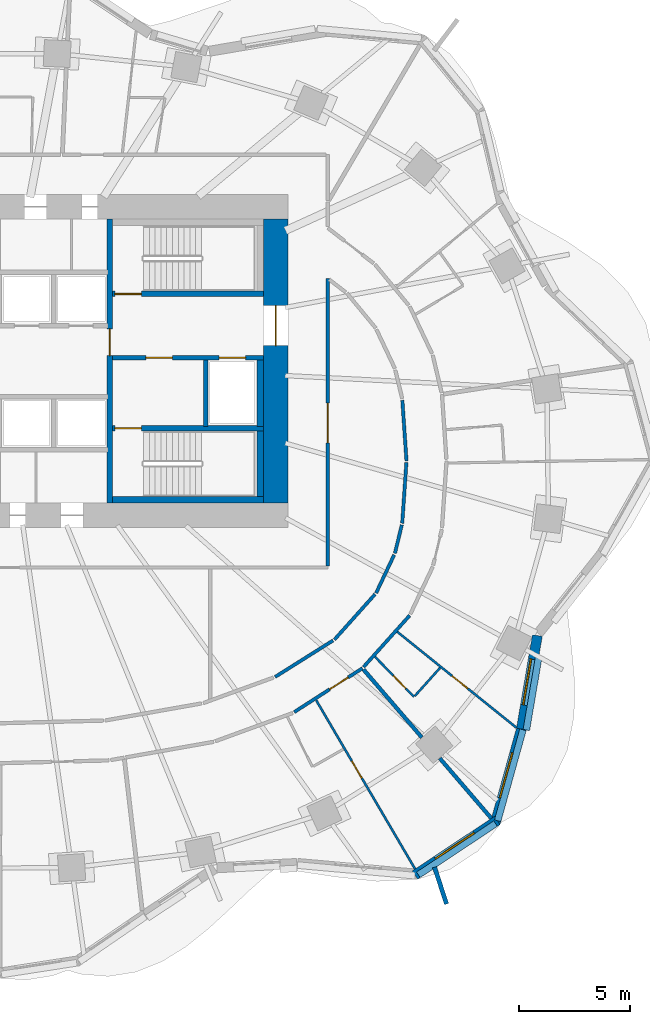
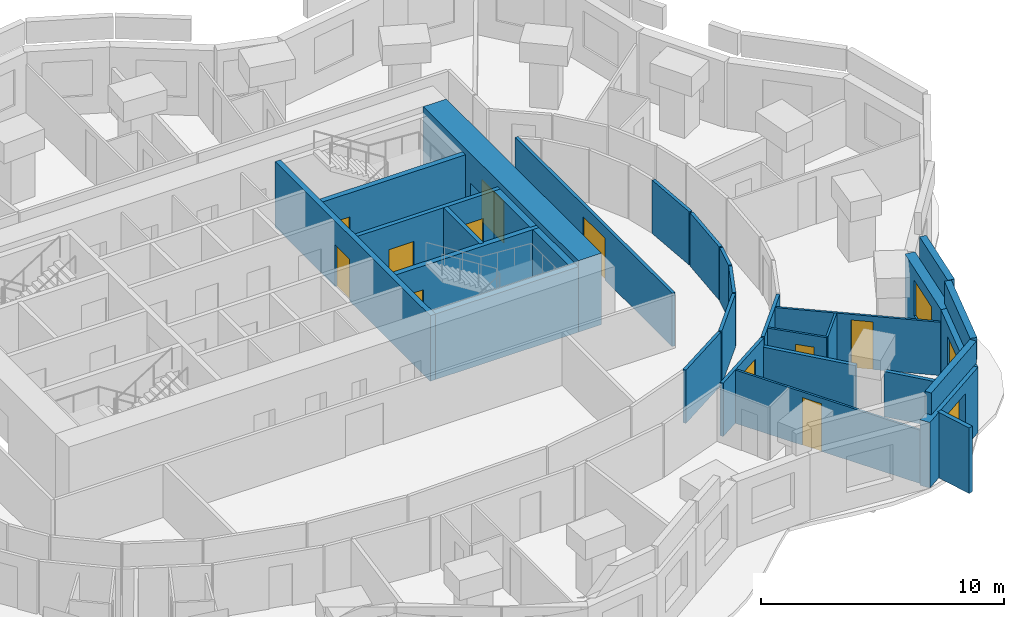
# One storey, part 7 of 12: 31 walls, 11 doors, 3 windows, 14 openings.
"""IFC4 building model written with IfcOpenShell, lengths in metres."""

from ifc_helpers import new_model, si_unit, direction, frame, frame_2d, origin, place, context, subcontext, project, spatial, rectangle, extrude, material, layer, layer_set, type_object, element, fill, save


model = new_model("IFC4")

# Units and contexts
model_context = context("Model", 3, precision=1e-05, world=origin(), true_north=direction((0.0, 1.0)))
body_context = subcontext(model_context, "Body", "Model", "MODEL_VIEW")
ifc_project = project(units=[si_unit("LENGTHUNIT", "METRE"), si_unit("AREAUNIT", "SQUARE_METRE"), si_unit("VOLUMEUNIT", "CUBIC_METRE"), si_unit("PLANEANGLEUNIT", "RADIAN"), si_unit("MASSUNIT", "GRAM", prefix="KILO")], contexts=[model_context])

# Site, building, storey
site_placement = place(None, origin())
site = spatial("IfcSite", under=ifc_project, at=site_placement, CompositionType="ELEMENT")
building_placement = place(site_placement, origin())
building = spatial("IfcBuilding", under=site, at=building_placement, Name="Rubra Terraces Tower", CompositionType="ELEMENT")
storey_placement = place(building_placement, frame((0.0, 0.0, 117.60009765625)))
storey = spatial("IfcBuildingStorey", under=building, at=storey_placement, Name="L28", CompositionType="ELEMENT", Elevation=117.60009765625)

# Walls
ifc_material_1 = material(Name="Twin plasterboard on staggered steel stud, acoustic mineral wool", Category="steel")
ifc_layer_1 = layer(ifc_material_1, 0.175048828125)
ifc_layer_set_1 = layer_set([ifc_layer_1], Name="Twin plasterboard on staggered steel stud, acoustic mineral wool")
wall_type_1 = type_object("IfcWallType", Name="ACOUSTIC PARTY WALL 175 LOW HEAD", PredefinedType="PARTITIONING", material=ifc_layer_set_1)
wall_1_placement = place(storey_placement, frame((22.167236328125, -16.10400390625, 0.0), z_axis=(0.0, 0.0, 1.0), x_axis=(-0.651585854712, 0.758574896724, 0.0)))
element("IfcWall", 1, at=wall_1_placement, inside=storey, type_object=wall_type_1, Name="PARTITION", PredefinedType="PARTITIONING", context=body_context, shape_type="SweptSolid", body=[
    extrude(rectangle(XDim=3.566650390625, YDim=0.175048828125, at=frame_2d((1.783203125, 0.0))), origin(), (0.0, 0.0, 1.0), 2.27978515625),
])
wall_2_placement = place(storey_placement, frame((19.03515625, -12.457763671875, 0.0), z_axis=(0.0, 0.0, 1.0), x_axis=(-0.651603524635, 0.7585597186, 0.0)))
element("IfcWall", 2, at=wall_2_placement, inside=storey, type_object=wall_type_1, Name="PARTITION", PredefinedType="PARTITIONING", context=body_context, shape_type="SweptSolid", body=[
    extrude(rectangle(XDim=4.033447265625, YDim=0.175048828125, at=frame_2d((2.0166015625, 0.0))), origin(), (0.0, 0.0, 1.0), 2.27978515625),
])

# Wall, opening, window
ifc_material_2 = material(Name="Brick masonry red-brown", Category="masonry")
ifc_layer_2 = layer(ifc_material_2, 0.449951171875)
ifc_layer_set_2 = layer_set([ifc_layer_2], Name="Brick masonry red-brown")
wall_type_2 = type_object("IfcWallType", Name="Brick facade wall 450", PredefinedType="SOLIDWALL", material=ifc_layer_set_2)
wall_3_placement = place(storey_placement, frame((18.7255859375, -18.66259765625, 0.0), z_axis=(0.0, 0.0, 1.0), x_axis=(0.83333921474, 0.552761931736, 0.0)))
wall_3 = element("IfcWall", 3, at=wall_3_placement, inside=storey, type_object=wall_type_2, Name="Facade wall L28 bay 36", PredefinedType="SOLIDWALL", context=body_context, shape_type="SweptSolid", body=[
    extrude(rectangle(XDim=4.45068359375, YDim=0.449951171875, at=frame_2d((2.225341796875, 0.0))), origin(), (0.0, 0.0, 1.0), 3.2998046875),
])
opening_1_placement = place(wall_3_placement, frame((1.17529296875, 0.0, 0.89990234375)))
opening_1 = element("IfcOpeningElement", 4, at=opening_1_placement, cuts=wall_3, Name="Opening W1Z", PredefinedType="OPENING", context=body_context, shape_type="SweptSolid", body=[
    extrude(rectangle(XDim=2.10009765625, YDim=1.800048828125, at=frame_2d((1.050048828125, 0.89990234375))), frame((0.0, 0.23486328125, 0.0), z_axis=(0.0, -1.0, 0.0), x_axis=(1.0, 0.0, 0.0)), (0.0, 0.0, 1.0), 0.469970703125),
])
ifc_material_3 = material(Name="Clear glass in aluminium frame", Category="aluminium")
window_type = type_object("IfcWindowType", Name="Fixed deep-set window under transfer level 2100 x 1800", PartitioningType="SINGLE_PANEL", PredefinedType="WINDOW", material=ifc_material_3)
window_1_placement = place(opening_1_placement, origin())
window_1 = element("IfcWindow", 5, at=window_1_placement, inside=storey, type_object=window_type, Name="Window L28 bay 36", OverallHeight=1.800048828125, OverallWidth=2.10009765625, PartitioningType="SINGLE_PANEL", PredefinedType="WINDOW", context=body_context, shape_type="SweptSolid", body=[
    extrude(rectangle(XDim=2.10009765625, YDim=1.800048828125, at=frame_2d((1.050048828125, 0.89990234375))), frame((0.0, 0.135009765625, 0.0), z_axis=(0.0, -1.0, 0.0), x_axis=(1.0, 0.0, 0.0)), (0.0, 0.0, 1.0), 0.06005859375),
])
fill(opening_1, window_1)

wall_4_placement = place(storey_placement, frame((22.343505859375, -16.32568359375, 0.0), z_axis=(0.0, 0.0, 1.0), x_axis=(0.267925456304, 0.963439645159, 0.0)))
wall_4 = element("IfcWall", 6, at=wall_4_placement, inside=storey, type_object=wall_type_2, Name="Facade wall L28 bay 37", PredefinedType="SOLIDWALL", context=body_context, shape_type="SweptSolid", body=[
    extrude(rectangle(XDim=4.4267578125, YDim=0.449951171875, at=frame_2d((2.21337890625, 0.0))), origin(), (0.0, 0.0, 1.0), 3.2998046875),
])
opening_2_placement = place(wall_4_placement, frame((1.16357421875, 0.0, 0.89990234375)))
opening_2 = element("IfcOpeningElement", 7, at=opening_2_placement, cuts=wall_4, Name="Opening W1Z", PredefinedType="OPENING", context=body_context, shape_type="SweptSolid", body=[
    extrude(rectangle(XDim=2.10009765625, YDim=1.800048828125, at=frame_2d((1.050048828125, 0.89990234375))), frame((0.0, 0.23486328125, 0.0), z_axis=(0.0, -1.0, 0.0), x_axis=(1.0, 0.0, 0.0)), (0.0, 0.0, 1.0), 0.469970703125),
])
window_2_placement = place(opening_2_placement, origin())
window_2 = element("IfcWindow", 8, at=window_2_placement, inside=storey, type_object=window_type, Name="Window L28 bay 37", OverallHeight=1.800048828125, OverallWidth=2.10009765625, PartitioningType="SINGLE_PANEL", PredefinedType="WINDOW", context=body_context, shape_type="SweptSolid", body=[
    extrude(rectangle(XDim=2.10009765625, YDim=1.800048828125, at=frame_2d((1.050048828125, 0.89990234375))), frame((0.0, 0.135009765625, 0.0), z_axis=(0.0, -1.0, 0.0), x_axis=(1.0, 0.0, 0.0)), (0.0, 0.0, 1.0), 0.06005859375),
])
fill(opening_2, window_2)

wall_5_placement = place(storey_placement, frame((23.524169921875, -12.0830078125, 0.0), z_axis=(0.0, 0.0, 1.0), x_axis=(0.167445072349, 0.985881406532, 0.0)))
wall_5 = element("IfcWall", 9, at=wall_5_placement, inside=storey, type_object=wall_type_2, Name="Facade wall L28 bay 38", PredefinedType="SOLIDWALL", context=body_context, shape_type="SweptSolid", body=[
    extrude(rectangle(XDim=4.27490234375, YDim=0.449951171875, at=frame_2d((2.137451171875, 0.0))), origin(), (0.0, 0.0, 1.0), 3.2998046875),
])
opening_3_placement = place(wall_5_placement, frame((1.08740234375, 0.0, 0.89990234375)))
opening_3 = element("IfcOpeningElement", 10, at=opening_3_placement, cuts=wall_5, Name="Opening W1Z", PredefinedType="OPENING", context=body_context, shape_type="SweptSolid", body=[
    extrude(rectangle(XDim=2.10009765625, YDim=1.800048828125, at=frame_2d((1.050048828125, 0.89990234375))), frame((0.0, 0.23486328125, 0.0), z_axis=(0.0, -1.0, 0.0), x_axis=(1.0, 0.0, 0.0)), (0.0, 0.0, 1.0), 0.469970703125),
])
window_3_placement = place(opening_3_placement, origin())
window_3 = element("IfcWindow", 11, at=window_3_placement, inside=storey, type_object=window_type, Name="Window L28 bay 38", OverallHeight=1.800048828125, OverallWidth=2.10009765625, PartitioningType="SINGLE_PANEL", PredefinedType="WINDOW", context=body_context, shape_type="SweptSolid", body=[
    extrude(rectangle(XDim=2.10009765625, YDim=1.800048828125, at=frame_2d((1.050048828125, 0.89990234375))), frame((0.0, 0.135009765625, 0.0), z_axis=(0.0, -1.0, 0.0), x_axis=(1.0, 0.0, 0.0)), (0.0, 0.0, 1.0), 0.06005859375),
])
fill(opening_3, window_3)

# Walls
ifc_layer_3 = layer(ifc_material_2, 0.300048828125)
ifc_layer_set_3 = layer_set([ifc_layer_3], Name="Brick masonry red-brown")
wall_type_3 = type_object("IfcWallType", Name="Brick parapet 300", PredefinedType="PARAPET", material=ifc_layer_set_3)
wall_6_placement = place(storey_placement, frame((18.8798828125, -18.650146484375, 3.599853515625), z_axis=(0.0, 0.0, 1.0), x_axis=(0.833379877726, 0.552700623667, 0.0)))
element("IfcWall", 12, at=wall_6_placement, inside=storey, type_object=wall_type_3, Name="Parapet L28 bay 36", PredefinedType="PARAPET", context=body_context, shape_type="SweptSolid", body=[
    extrude(rectangle(XDim=4.17333984375, YDim=0.300048828125, at=frame_2d((2.086669921875, 0.0))), origin(), (0.0, 0.0, 1.0), 1.10009765625),
])
wall_7_placement = place(storey_placement, frame((22.452392578125, -16.213134765625, 3.599853515625), z_axis=(0.0, 0.0, 1.0), x_axis=(0.267993020858, 0.963420853403, 0.0)))
element("IfcWall", 13, at=wall_7_placement, inside=storey, type_object=wall_type_3, Name="Parapet L28 bay 37", PredefinedType="PARAPET", context=body_context, shape_type="SweptSolid", body=[
    extrude(rectangle(XDim=4.25537109375, YDim=0.300048828125, at=frame_2d((2.127685546875, 0.0))), origin(), (0.0, 0.0, 1.0), 1.10009765625),
])
wall_8_placement = place(storey_placement, frame((23.7451171875, -12.125, 3.599853515625), z_axis=(0.0, 0.0, 1.0), x_axis=(0.167466753484, 0.985877723898, 0.0)))
element("IfcWall", 14, at=wall_8_placement, inside=storey, type_object=wall_type_3, Name="Parapet L28 bay 38", PredefinedType="PARAPET", context=body_context, shape_type="SweptSolid", body=[
    extrude(rectangle(XDim=3.3544921875, YDim=0.300048828125, at=frame_2d((1.67724609375, 0.0))), origin(), (0.0, 0.0, 1.0), 1.10009765625),
])
ifc_layer_4 = layer(ifc_material_2, 0.199951171875)
ifc_layer_set_4 = layer_set([ifc_layer_4], Name="Brick masonry red-brown")
wall_type_4 = type_object("IfcWallType", Name="Brick wind fin 200", PredefinedType="SOLIDWALL", material=ifc_layer_set_4)
wall_9_placement = place(storey_placement, frame((19.60888671875, -18.304931640625, 0.0), z_axis=(0.0, 0.0, 1.0), x_axis=(0.308600224758, -0.951191832008, 0.0)))
element("IfcWall", 15, at=wall_9_placement, inside=storey, type_object=wall_type_4, Name="Wind fin L28 22", PredefinedType="SOLIDWALL", context=body_context, shape_type="SweptSolid", body=[
    extrude(rectangle(XDim=1.75, YDim=0.199951171875, at=frame_2d((0.875, 0.0))), origin(), (0.0, 0.0, 1.0), 3.2998046875),
])

# Wall, opening, door
ifc_material_4 = material(Name="Concrete C60", Category="concrete")
ifc_layer_5 = layer(ifc_material_4, 1.10009765625)
ifc_layer_set_5 = layer_set([ifc_layer_5], Name="Concrete C60")
wall_type_5 = type_object("IfcWallType", Name="CORE WALL 1100 C60", PredefinedType="SHEAR", material=ifc_layer_set_5)
wall_10_placement = place(storey_placement, frame((12.449951171875, -1.89990234375, 0.0), z_axis=(0.0, 0.0, 1.0), x_axis=(0.0, 1.0, 0.0)))
wall_10 = element("IfcWall", 16, at=wall_10_placement, inside=storey, type_object=wall_type_5, Name="CORE WALL E L28", PredefinedType="SHEAR", context=body_context, shape_type="SweptSolid", body=[
    extrude(rectangle(XDim=12.7998046875, YDim=1.10009765625, at=frame_2d((6.39990234375, 0.0))), origin(), (0.0, 0.0, 1.0), 3.599853515625),
])
opening_4_placement = place(wall_10_placement, frame((7.10009765625, 0.0, 0.0)))
opening_4 = element("IfcOpeningElement", 17, at=opening_4_placement, cuts=wall_10, Name="Opening L28.C02", PredefinedType="OPENING", context=body_context, shape_type="SweptSolid", body=[
    extrude(rectangle(XDim=1.800048828125, YDim=2.10009765625, at=frame_2d((0.89990234375, 1.050048828125))), frame((0.0, 0.56005859375, 0.0), z_axis=(0.0, -1.0, 0.0), x_axis=(1.0, 0.0, 0.0)), (0.0, 0.0, 1.0), 1.1201171875),
])
ifc_material_5 = material(Name="Painted steel", Category="steel")
door_type_1 = type_object("IfcDoorType", Name="Fire door 1800x2100 double", OperationType="NOTDEFINED", PredefinedType="DOOR", material=ifc_material_5)
door_1_placement = place(opening_4_placement, origin())
door_1 = element("IfcDoor", 18, at=door_1_placement, inside=storey, type_object=door_type_1, Name="Core entrance door FF2", OperationType="DOUBLE_DOOR_SINGLE_SWING", OverallHeight=2.10009765625, OverallWidth=1.800048828125, PredefinedType="DOOR", context=body_context, shape_type="SweptSolid", body=[
    extrude(rectangle(XDim=1.800048828125, YDim=2.10009765625, at=frame_2d((0.89990234375, 1.050048828125))), frame((0.0, 0.02490234375, 0.0), z_axis=(0.0, -1.0, 0.0), x_axis=(1.0, 0.0, 0.0)), (0.0, 0.0, 1.0), 0.050048828125),
])
fill(opening_4, door_1)

ifc_material_6 = material(Name="Plasterboard on steel stud, mineral wool infill", Category="steel")
ifc_layer_6 = layer(ifc_material_6, 0.14990234375)
ifc_layer_set_6 = layer_set([ifc_layer_6], Name="Plasterboard on steel stud, mineral wool infill")
wall_type_6 = type_object("IfcWallType", Name="CORRIDOR PARTITION 150", PredefinedType="PARTITIONING", material=ifc_layer_set_6)
wall_11_placement = place(storey_placement, frame((13.28271484375, -11.318603515625, 0.0), z_axis=(0.0, 0.0, 1.0), x_axis=(0.841150270113, 0.540801463653, 0.0)))
wall_11 = element("IfcWall", 19, at=wall_11_placement, inside=storey, type_object=wall_type_6, Name="PARTITION", PredefinedType="PARTITIONING", context=body_context, shape_type="SweptSolid", body=[
    extrude(rectangle(XDim=3.65625, YDim=0.14990234375, at=frame_2d((1.828125, 0.0))), origin(), (0.0, 0.0, 1.0), 2.683837890625),
])
opening_5_placement = place(wall_11_placement, frame((1.89404296875, 0.0, 0.0)))
opening_5 = element("IfcOpeningElement", 20, at=opening_5_placement, cuts=wall_11, Name="Opening 28-106", PredefinedType="OPENING", context=body_context, shape_type="SweptSolid", body=[
    extrude(rectangle(XDim=1.0, YDim=2.10009765625, at=frame_2d((0.5, 1.050048828125))), frame((0.0, 0.0849609375, 0.0), z_axis=(0.0, -1.0, 0.0), x_axis=(1.0, 0.0, 0.0)), (0.0, 0.0, 1.0), 0.169921875),
])
ifc_material_7 = material(Name="Painted timber door leaf", Category="wood")
door_type_2 = type_object("IfcDoorType", Name="ROOM DOOR 1000 X 2100", OperationType="SINGLE_SWING_LEFT", PredefinedType="DOOR", material=ifc_material_7)
door_2_placement = place(opening_5_placement, origin())
door_2 = element("IfcDoor", 21, at=door_2_placement, inside=storey, type_object=door_type_2, Name="DOOR 28-106", OperationType="SINGLE_SWING_RIGHT", OverallHeight=2.10009765625, OverallWidth=1.0, PredefinedType="DOOR", context=body_context, shape_type="SweptSolid", body=[
    extrude(rectangle(XDim=1.0, YDim=2.10009765625, at=frame_2d((0.5, 1.050048828125))), frame((0.0, 0.02490234375, 0.0), z_axis=(0.0, -1.0, 0.0), x_axis=(1.0, 0.0, 0.0)), (0.0, 0.0, 1.0), 0.050048828125),
])
fill(opening_5, door_2)

# Walls
wall_12_placement = place(storey_placement, frame((16.408203125, -9.285400390625, 0.0), z_axis=(0.0, 0.0, 1.0), x_axis=(0.666792573149, 0.745243359174, 0.0)))
element("IfcWall", 22, at=wall_12_placement, inside=storey, type_object=wall_type_6, Name="PARTITION", PredefinedType="PARTITIONING", context=body_context, shape_type="SweptSolid", body=[
    extrude(rectangle(XDim=3.121337890625, YDim=0.14990234375, at=frame_2d((1.560546875, 0.0))), origin(), (0.0, 0.0, 1.0), 2.683837890625),
])
for number, where, z_axis, x_axis, name in (
    (23, (18.157470703125, 2.734130859375, 0.0), (0.0, 0.0, 1.0), (0.068328193832, -0.997662897941, 0.0), "PARTITION"),
    (24, (18.339599609375, -0.07470703125, 0.0), (0.0, 0.0, 1.0), (-0.068328193832, -0.997662897941, 0.0), "PARTITION"),
):
    element("IfcWall", number, at=place(storey_placement, frame(where, z_axis=z_axis, x_axis=x_axis)), inside=storey, type_object=wall_type_6, Name=name, PredefinedType="PARTITIONING", context=body_context, shape_type="SweptSolid", body=[
        extrude(rectangle(XDim=2.740478515625, YDim=0.14990234375, at=frame_2d((1.3701171875, 0.0))), origin(), (0.0, 0.0, 1.0), 2.683837890625),
    ])
wall_13_placement = place(storey_placement, frame((18.134521484375, -2.8818359375, 0.0), z_axis=(0.0, 0.0, 1.0), x_axis=(-0.236653741324, -0.971594054489, 0.0)))
element("IfcWall", 25, at=wall_13_placement, inside=storey, type_object=wall_type_6, Name="PARTITION", PredefinedType="PARTITIONING", context=body_context, shape_type="SweptSolid", body=[
    extrude(rectangle(XDim=1.319580078125, YDim=0.14990234375, at=frame_2d((0.65966796875, 0.0))), origin(), (0.0, 0.0, 1.0), 2.683837890625),
])
wall_14_placement = place(storey_placement, frame((17.7900390625, -4.2314453125, 0.0), z_axis=(0.0, 0.0, 1.0), x_axis=(-0.428042272357, -0.90375871397, 0.0)))
element("IfcWall", 26, at=wall_14_placement, inside=storey, type_object=wall_type_6, Name="PARTITION", PredefinedType="PARTITIONING", context=body_context, shape_type="SweptSolid", body=[
    extrude(rectangle(XDim=1.905029296875, YDim=0.14990234375, at=frame_2d((0.95263671875, 0.0))), origin(), (0.0, 0.0, 1.0), 2.683837890625),
])
wall_15_placement = place(storey_placement, frame((16.924560546875, -6.009033203125, 0.0), z_axis=(0.0, 0.0, 1.0), x_axis=(-0.666893859891, -0.745152722359, 0.0)))
element("IfcWall", 27, at=wall_15_placement, inside=storey, type_object=wall_type_6, Name="PARTITION", PredefinedType="PARTITIONING", context=body_context, shape_type="SweptSolid", body=[
    extrude(rectangle(XDim=2.739013671875, YDim=0.14990234375, at=frame_2d((1.36962890625, 0.0))), origin(), (0.0, 0.0, 1.0), 2.683837890625),
])
wall_16_placement = place(storey_placement, frame((15.034423828125, -8.090087890625, 0.0), z_axis=(0.0, 0.0, 1.0), x_axis=(-0.846322679414, -0.532670557014, 0.0)))
element("IfcWall", 28, at=wall_16_placement, inside=storey, type_object=wall_type_6, Name="PARTITION", PredefinedType="PARTITIONING", context=body_context, shape_type="SweptSolid", body=[
    extrude(rectangle(XDim=3.08544921875, YDim=0.14990234375, at=frame_2d((1.542724609375, 0.0))), origin(), (0.0, 0.0, 1.0), 2.683837890625),
])

# Wall, opening, door
wall_17_placement = place(storey_placement, frame((14.800048828125, -4.72509765625, 0.0), z_axis=(0.0, 0.0, 1.0), x_axis=(0.0, 1.0, 0.0)))
wall_17 = element("IfcWall", 29, at=wall_17_placement, inside=storey, type_object=wall_type_6, Name="PARTITION", PredefinedType="PARTITIONING", context=body_context, shape_type="SweptSolid", body=[
    extrude(rectangle(XDim=12.947998046875, YDim=0.14990234375, at=frame_2d((6.47412109375, 0.0))), origin(), (0.0, 0.0, 1.0), 2.683837890625),
])
opening_6_placement = place(wall_17_placement, frame((5.535888671875, 0.0, 0.0)))
opening_6 = element("IfcOpeningElement", 30, at=opening_6_placement, cuts=wall_17, Name="Opening 28-136", PredefinedType="OPENING", context=body_context, shape_type="SweptSolid", body=[
    extrude(rectangle(XDim=1.800048828125, YDim=2.10009765625, at=frame_2d((0.89990234375, 1.050048828125))), frame((0.0, 0.0849609375, 0.0), z_axis=(0.0, -1.0, 0.0), x_axis=(1.0, 0.0, 0.0)), (0.0, 0.0, 1.0), 0.169921875),
])
ifc_material_8 = material(Name="Painted timber door leaf, double", Category="wood")
door_type_3 = type_object("IfcDoorType", Name="ROOM DOUBLE DOOR 1800 X 2100", OperationType="DOUBLE_DOOR_SINGLE_SWING", PredefinedType="DOOR", material=ifc_material_8)
door_3_placement = place(opening_6_placement, origin())
door_3 = element("IfcDoor", 31, at=door_3_placement, inside=storey, type_object=door_type_3, Name="DOOR 28-136", OperationType="DOUBLE_DOOR_SINGLE_SWING", OverallHeight=2.10009765625, OverallWidth=1.800048828125, PredefinedType="DOOR", context=body_context, shape_type="SweptSolid", body=[
    extrude(rectangle(XDim=1.800048828125, YDim=2.10009765625, at=frame_2d((0.89990234375, 1.050048828125))), frame((0.0, 0.02490234375, 0.0), z_axis=(0.0, -1.0, 0.0), x_axis=(1.0, 0.0, 0.0)), (0.0, 0.0, 1.0), 0.050048828125),
])
fill(opening_6, door_3)

# Walls
ifc_material_9 = material(Name="Concrete C40", Category="concrete")
ifc_layer_7 = layer(ifc_material_9, 0.300048828125)
ifc_layer_set_7 = layer_set([ifc_layer_7], Name="Concrete C40")
wall_type_7 = type_object("IfcWallType", Name="Core lining wall 300 concrete", PredefinedType="SOLIDWALL", material=ifc_layer_set_7)
wall_18_placement = place(storey_placement, frame((11.75, 4.550048828125, 0.0), z_axis=(0.0, 0.0, 1.0), x_axis=(0.0, -1.0, 0.0)))
element("IfcWall", 32, at=wall_18_placement, inside=storey, type_object=wall_type_7, Name="CORE LINING WALL L28", PredefinedType="SOLIDWALL", context=body_context, shape_type="SweptSolid", body=[
    extrude(rectangle(XDim=3.0, YDim=0.300048828125, at=frame_2d((1.5, 0.0))), origin(), (0.0, 0.0, 1.0), 3.2998046875),
])
wall_19_placement = place(storey_placement, frame((11.75, 1.35009765625, 0.0), z_axis=(0.0, 0.0, 1.0), x_axis=(0.0, -1.0, 0.0)))
element("IfcWall", 33, at=wall_19_placement, inside=storey, type_object=wall_type_7, Name="CORE LINING WALL L28", PredefinedType="SOLIDWALL", context=body_context, shape_type="SweptSolid", body=[
    extrude(rectangle(XDim=2.9501953125, YDim=0.300048828125, at=frame_2d((1.47509765625, 0.0))), origin(), (0.0, 0.0, 1.0), 3.2998046875),
])
wall_20_placement = place(storey_placement, frame((11.89990234375, -1.75, 0.0), z_axis=(0.0, 0.0, 1.0), x_axis=(-1.0, 0.0, 0.0)))
element("IfcWall", 34, at=wall_20_placement, inside=storey, type_object=wall_type_7, Name="CORE LINING WALL L28", PredefinedType="SOLIDWALL", context=body_context, shape_type="SweptSolid", body=[
    extrude(rectangle(XDim=6.7998046875, YDim=0.300048828125, at=frame_2d((3.39990234375, 0.0))), origin(), (0.0, 0.0, 1.0), 3.2998046875),
])

# Wall, openings, doors
ifc_material_10 = material(Name="Concrete C30", Category="concrete")
ifc_layer_8 = layer(ifc_material_10, 0.199951171875)
ifc_layer_set_8 = layer_set([ifc_layer_8], Name="Concrete C30")
wall_type_8 = type_object("IfcWallType", Name="Core wall 200 concrete", PredefinedType="SOLIDWALL", material=ifc_layer_set_8)
wall_21_placement = place(storey_placement, frame((11.89990234375, 4.64990234375, 0.0), z_axis=(0.0, 0.0, 1.0), x_axis=(-1.0, 0.0, 0.0)))
wall_21 = element("IfcWall", 35, at=wall_21_placement, inside=storey, type_object=wall_type_8, Name="STAIR WALL L28", PredefinedType="SOLIDWALL", context=body_context, shape_type="SweptSolid", body=[
    extrude(rectangle(XDim=6.7998046875, YDim=0.199951171875, at=frame_2d((3.39990234375, 0.0))), origin(), (0.0, 0.0, 1.0), 3.2998046875),
])
opening_7_placement = place(wall_21_placement, frame((4.10009765625, 0.0, 0.0)))
opening_7 = element("IfcOpeningElement", 36, at=opening_7_placement, cuts=wall_21, Name="Opening L28.C06", PredefinedType="OPENING", context=body_context, shape_type="SweptSolid", body=[
    extrude(rectangle(XDim=1.199951171875, YDim=2.10009765625, at=frame_2d((0.60009765625, 1.050048828125))), frame((0.0, 0.10986328125, 0.0), z_axis=(0.0, -1.0, 0.0), x_axis=(1.0, 0.0, 0.0)), (0.0, 0.0, 1.0), 0.219970703125),
])
opening_8_placement = place(wall_21_placement, frame((0.800048828125, 0.0, 0.0)))
opening_8 = element("IfcOpeningElement", 37, at=opening_8_placement, cuts=wall_21, Name="Opening L28.C12", PredefinedType="OPENING", context=body_context, shape_type="SweptSolid", body=[
    extrude(rectangle(XDim=1.199951171875, YDim=2.10009765625, at=frame_2d((0.60009765625, 1.050048828125))), frame((0.0, 0.10986328125, 0.0), z_axis=(0.0, -1.0, 0.0), x_axis=(1.0, 0.0, 0.0)), (0.0, 0.0, 1.0), 0.219970703125),
])
door_type_4 = type_object("IfcDoorType", Name="Fire door 1200x2100 single", OperationType="NOTDEFINED", PredefinedType="DOOR", material=ifc_material_5)
door_4_placement = place(opening_7_placement, origin())
door_4 = element("IfcDoor", 38, at=door_4_placement, inside=storey, type_object=door_type_4, Name="Stair vestibule door S4", OperationType="SINGLE_SWING_RIGHT", OverallHeight=2.10009765625, OverallWidth=1.199951171875, PredefinedType="DOOR", context=body_context, shape_type="SweptSolid", body=[
    extrude(rectangle(XDim=1.199951171875, YDim=2.10009765625, at=frame_2d((0.60009765625, 1.050048828125))), frame((0.0, 0.02490234375, 0.0), z_axis=(0.0, -1.0, 0.0), x_axis=(1.0, 0.0, 0.0)), (0.0, 0.0, 1.0), 0.050048828125),
])
fill(opening_7, door_4)
ifc_material_11 = material(Name="Stainless steel", Category="steel")
door_type_5 = type_object("IfcDoorType", Name="Lift landing door 1200x2100", OperationType="NOTDEFINED", PredefinedType="DOOR", material=ifc_material_11)
door_5_placement = place(opening_8_placement, origin())
door_5 = element("IfcDoor", 39, at=door_5_placement, inside=storey, type_object=door_type_5, Name="Landing door FF2", OperationType="SLIDING_TO_RIGHT", OverallHeight=2.10009765625, OverallWidth=1.199951171875, PredefinedType="DOOR", context=body_context, shape_type="SweptSolid", body=[
    extrude(rectangle(XDim=1.199951171875, YDim=2.10009765625, at=frame_2d((0.60009765625, 1.050048828125))), frame((0.0, 0.02490234375, 0.0), z_axis=(0.0, -1.0, 0.0), x_axis=(1.0, 0.0, 0.0)), (0.0, 0.0, 1.0), 0.050048828125),
])
fill(opening_8, door_5)

# Wall
wall_22_placement = place(storey_placement, frame((9.300048828125, 4.550048828125, 0.0), z_axis=(0.0, 0.0, 1.0), x_axis=(0.0, -1.0, 0.0)))
element("IfcWall", 40, at=wall_22_placement, inside=storey, type_object=wall_type_8, Name="STAIR WALL L28", PredefinedType="SOLIDWALL", context=body_context, shape_type="SweptSolid", body=[
    extrude(rectangle(XDim=3.0, YDim=0.199951171875, at=frame_2d((1.5, 0.0))), origin(), (0.0, 0.0, 1.0), 3.2998046875),
])

# Wall, opening, door
ifc_material_12 = material(Name="Plasterboard on steel stud", Category="steel")
ifc_layer_9 = layer(ifc_material_12, 0.10009765625)
ifc_layer_set_9 = layer_set([ifc_layer_9], Name="Plasterboard on steel stud")
wall_type_9 = type_object("IfcWallType", Name="ROOM PARTITION 100", PredefinedType="PARTITIONING", material=ifc_layer_set_9)
wall_23_placement = place(storey_placement, frame((18.730224609375, -18.383544921875, 0.0), z_axis=(0.0, 0.0, 1.0), x_axis=(-0.50573941389, 0.862686295961, 0.0)))
wall_23 = element("IfcWall", 41, at=wall_23_placement, inside=storey, type_object=wall_type_9, Name="PARTITION", PredefinedType="PARTITIONING", context=body_context, shape_type="SweptSolid", body=[
    extrude(rectangle(XDim=8.8095703125, YDim=0.10009765625, at=frame_2d((4.40478515625, 0.0))), origin(), (0.0, 0.0, 1.0), 2.683837890625),
])
opening_9_placement = place(wall_23_placement, frame((4.735107421875, 0.0, 0.0)))
opening_9 = element("IfcOpeningElement", 42, at=opening_9_placement, cuts=wall_23, Name="Opening 28-105", PredefinedType="OPENING", context=body_context, shape_type="SweptSolid", body=[
    extrude(rectangle(XDim=0.89990234375, YDim=2.39990234375, at=frame_2d((0.449951171875, 1.199951171875))), frame((0.0, 0.06005859375, 0.0), z_axis=(0.0, -1.0, 0.0), x_axis=(1.0, 0.0, 0.0)), (0.0, 0.0, 1.0), 0.1201171875),
])
ifc_material_13 = material(Name="Veneered timber door leaf, fire-rated", Category="wood")
door_type_6 = type_object("IfcDoorType", Name="SUITE ENTRANCE DOOR 900 X 2400", OperationType="SINGLE_SWING_LEFT", PredefinedType="DOOR", material=ifc_material_13)
door_6_placement = place(opening_9_placement, origin())
door_6 = element("IfcDoor", 43, at=door_6_placement, inside=storey, type_object=door_type_6, Name="DOOR 28-105", OperationType="SINGLE_SWING_LEFT", OverallHeight=2.39990234375, OverallWidth=0.89990234375, PredefinedType="DOOR", context=body_context, shape_type="SweptSolid", body=[
    extrude(rectangle(XDim=0.89990234375, YDim=2.39990234375, at=frame_2d((0.449951171875, 1.199951171875))), frame((0.0, 0.02490234375, 0.0), z_axis=(0.0, -1.0, 0.0), x_axis=(1.0, 0.0, 0.0)), (0.0, 0.0, 1.0), 0.050048828125),
])
fill(opening_9, door_6)

wall_24_placement = place(storey_placement, frame((23.302001953125, -12.0234375, 0.0), z_axis=(0.0, 0.0, 1.0), x_axis=(-0.779049211338, 0.626962779049, 0.0)))
wall_24 = element("IfcWall", 44, at=wall_24_placement, inside=storey, type_object=wall_type_9, Name="PARTITION", PredefinedType="PARTITIONING", context=body_context, shape_type="SweptSolid", body=[
    extrude(rectangle(XDim=6.89794921875, YDim=0.10009765625, at=frame_2d((3.448974609375, 0.0))), origin(), (0.0, 0.0, 1.0), 2.683837890625),
])
opening_10_placement = place(wall_24_placement, frame((2.822998046875, 0.0, 0.0)))
opening_10 = element("IfcOpeningElement", 45, at=opening_10_placement, cuts=wall_24, Name="Opening 28-109", PredefinedType="OPENING", context=body_context, shape_type="SweptSolid", body=[
    extrude(rectangle(XDim=0.89990234375, YDim=2.39990234375, at=frame_2d((0.449951171875, 1.199951171875))), frame((0.0, 0.06005859375, 0.0), z_axis=(0.0, -1.0, 0.0), x_axis=(1.0, 0.0, 0.0)), (0.0, 0.0, 1.0), 0.1201171875),
])
door_7_placement = place(opening_10_placement, origin())
door_7 = element("IfcDoor", 46, at=door_7_placement, inside=storey, type_object=door_type_6, Name="DOOR 28-109", OperationType="SINGLE_SWING_LEFT", OverallHeight=2.39990234375, OverallWidth=0.89990234375, PredefinedType="DOOR", context=body_context, shape_type="SweptSolid", body=[
    extrude(rectangle(XDim=0.89990234375, YDim=2.39990234375, at=frame_2d((0.449951171875, 1.199951171875))), frame((0.0, 0.02490234375, 0.0), z_axis=(0.0, -1.0, 0.0), x_axis=(1.0, 0.0, 0.0)), (0.0, 0.0, 1.0), 0.050048828125),
])
fill(opening_10, door_7)

wall_25_placement = place(storey_placement, frame((16.921875, -8.823486328125, 0.0), z_axis=(0.0, 0.0, 1.0), x_axis=(0.697371069569, -0.71671025619, 0.0)))
wall_25 = element("IfcWall", 47, at=wall_25_placement, inside=storey, type_object=wall_type_9, Name="PARTITION", PredefinedType="PARTITIONING", context=body_context, shape_type="SweptSolid", body=[
    extrude(rectangle(XDim=2.52490234375, YDim=0.10009765625, at=frame_2d((1.262451171875, 0.0))), origin(), (0.0, 0.0, 1.0), 2.683837890625),
])
opening_11_placement = place(wall_25_placement, frame((1.199951171875, 0.0, 0.0)))
opening_11 = element("IfcOpeningElement", 48, at=opening_11_placement, cuts=wall_25, Name="Opening 28-107", PredefinedType="OPENING", context=body_context, shape_type="SweptSolid", body=[
    extrude(rectangle(XDim=0.800048828125, YDim=2.10009765625, at=frame_2d((0.39990234375, 1.050048828125))), frame((0.0, 0.06005859375, 0.0), z_axis=(0.0, -1.0, 0.0), x_axis=(1.0, 0.0, 0.0)), (0.0, 0.0, 1.0), 0.1201171875),
])
door_type_7 = type_object("IfcDoorType", Name="BATHROOM DOOR 800 X 2100", OperationType="SINGLE_SWING_LEFT", PredefinedType="DOOR", material=ifc_material_7)
door_8_placement = place(opening_11_placement, origin())
door_8 = element("IfcDoor", 49, at=door_8_placement, inside=storey, type_object=door_type_7, Name="DOOR 28-107", OperationType="SINGLE_SWING_LEFT", OverallHeight=2.10009765625, OverallWidth=0.800048828125, PredefinedType="DOOR", context=body_context, shape_type="SweptSolid", body=[
    extrude(rectangle(XDim=0.800048828125, YDim=2.10009765625, at=frame_2d((0.39990234375, 1.050048828125))), frame((0.0, 0.02490234375, 0.0), z_axis=(0.0, -1.0, 0.0), x_axis=(1.0, 0.0, 0.0)), (0.0, 0.0, 1.0), 0.050048828125),
])
fill(opening_11, door_8)

# Wall
wall_26_placement = place(storey_placement, frame((18.716064453125, -10.595947265625, 0.0), z_axis=(0.0, 0.0, 1.0), x_axis=(0.667863253754, 0.744284001094, 0.0)))
element("IfcWall", 50, at=wall_26_placement, inside=storey, type_object=wall_type_9, Name="PARTITION", PredefinedType="PARTITIONING", context=body_context, shape_type="SweptSolid", body=[
    extrude(rectangle(XDim=1.715576171875, YDim=0.10009765625, at=frame_2d((0.85791015625, 0.0))), origin(), (0.0, 0.0, 1.0), 2.683837890625),
])

# Wall, opening, door
ifc_layer_10 = layer(ifc_material_9, 0.25)
ifc_layer_set_10 = layer_set([ifc_layer_10], Name="Concrete C40")
wall_type_10 = type_object("IfcWallType", Name="Stair enclosure wall 250 concrete", PredefinedType="SOLIDWALL", material=ifc_layer_set_10)
wall_27_placement = place(storey_placement, frame((11.89990234375, 7.52490234375, 0.0), z_axis=(0.0, 0.0, 1.0), x_axis=(-1.0, 0.0, 0.0)))
wall_27 = element("IfcWall", 51, at=wall_27_placement, inside=storey, type_object=wall_type_10, Name="STAIR WALL L28", PredefinedType="SOLIDWALL", context=body_context, shape_type="SweptSolid", body=[
    extrude(rectangle(XDim=6.7998046875, YDim=0.25, at=frame_2d((3.39990234375, 0.0))), origin(), (0.0, 0.0, 1.0), 3.2998046875),
])
opening_12_placement = place(wall_27_placement, frame((5.5, 0.0, 0.0)))
opening_12 = element("IfcOpeningElement", 52, at=opening_12_placement, cuts=wall_27, Name="Opening L28.C08", PredefinedType="OPENING", context=body_context, shape_type="SweptSolid", body=[
    extrude(rectangle(XDim=1.199951171875, YDim=2.10009765625, at=frame_2d((0.60009765625, 1.050048828125))), frame((0.0, 0.135009765625, 0.0), z_axis=(0.0, -1.0, 0.0), x_axis=(1.0, 0.0, 0.0)), (0.0, 0.0, 1.0), 0.27001953125),
])
door_9_placement = place(opening_12_placement, origin())
door_9 = element("IfcDoor", 53, at=door_9_placement, inside=storey, type_object=door_type_4, Name="Stair door S3", OperationType="SINGLE_SWING_RIGHT", OverallHeight=2.10009765625, OverallWidth=1.199951171875, PredefinedType="DOOR", context=body_context, shape_type="SweptSolid", body=[
    extrude(rectangle(XDim=1.199951171875, YDim=2.10009765625, at=frame_2d((0.60009765625, 1.050048828125))), frame((0.0, 0.02490234375, 0.0), z_axis=(0.0, -1.0, 0.0), x_axis=(1.0, 0.0, 0.0)), (0.0, 0.0, 1.0), 0.050048828125),
])
fill(opening_12, door_9)

wall_28_placement = place(storey_placement, frame((11.89990234375, 1.47509765625, 0.0), z_axis=(0.0, 0.0, 1.0), x_axis=(-1.0, 0.0, 0.0)))
wall_28 = element("IfcWall", 54, at=wall_28_placement, inside=storey, type_object=wall_type_10, Name="STAIR WALL L28", PredefinedType="SOLIDWALL", context=body_context, shape_type="SweptSolid", body=[
    extrude(rectangle(XDim=6.7998046875, YDim=0.25, at=frame_2d((3.39990234375, 0.0))), origin(), (0.0, 0.0, 1.0), 3.2998046875),
])
opening_13_placement = place(wall_28_placement, frame((5.5, 0.0, 0.0)))
opening_13 = element("IfcOpeningElement", 55, at=opening_13_placement, cuts=wall_28, Name="Opening L28.C10", PredefinedType="OPENING", context=body_context, shape_type="SweptSolid", body=[
    extrude(rectangle(XDim=1.199951171875, YDim=2.10009765625, at=frame_2d((0.60009765625, 1.050048828125))), frame((0.0, 0.135009765625, 0.0), z_axis=(0.0, -1.0, 0.0), x_axis=(1.0, 0.0, 0.0)), (0.0, 0.0, 1.0), 0.27001953125),
])
door_10_placement = place(opening_13_placement, origin())
door_10 = element("IfcDoor", 56, at=door_10_placement, inside=storey, type_object=door_type_4, Name="Stair door S4", OperationType="SINGLE_SWING_RIGHT", OverallHeight=2.10009765625, OverallWidth=1.199951171875, PredefinedType="DOOR", context=body_context, shape_type="SweptSolid", body=[
    extrude(rectangle(XDim=1.199951171875, YDim=2.10009765625, at=frame_2d((0.60009765625, 1.050048828125))), frame((0.0, 0.02490234375, 0.0), z_axis=(0.0, -1.0, 0.0), x_axis=(1.0, 0.0, 0.0)), (0.0, 0.0, 1.0), 0.050048828125),
])
fill(opening_13, door_10)

wall_29_placement = place(storey_placement, frame((4.97509765625, 10.89990234375, 0.0), z_axis=(0.0, 0.0, 1.0), x_axis=(0.0, -1.0, 0.0)))
wall_29 = element("IfcWall", 57, at=wall_29_placement, inside=storey, type_object=wall_type_10, Name="CORE LOBBY WALL L28", PredefinedType="SOLIDWALL", context=body_context, shape_type="SweptSolid", body=[
    extrude(rectangle(XDim=12.7998046875, YDim=0.25, at=frame_2d((6.39990234375, 0.0))), origin(), (0.0, 0.0, 1.0), 3.2998046875),
])
opening_14_placement = place(wall_29_placement, frame((4.949951171875, 0.0, 0.0)))
opening_14 = element("IfcOpeningElement", 58, at=opening_14_placement, cuts=wall_29, Name="Opening L28.C04", PredefinedType="OPENING", context=body_context, shape_type="SweptSolid", body=[
    extrude(rectangle(XDim=1.199951171875, YDim=2.10009765625, at=frame_2d((0.60009765625, 1.050048828125))), frame((0.0, 0.135009765625, 0.0), z_axis=(0.0, -1.0, 0.0), x_axis=(1.0, 0.0, 0.0)), (0.0, 0.0, 1.0), 0.27001953125),
])
door_11_placement = place(opening_14_placement, origin())
door_11 = element("IfcDoor", 59, at=door_11_placement, inside=storey, type_object=door_type_4, Name="Firefighting lobby door FF2", OperationType="SINGLE_SWING_RIGHT", OverallHeight=2.10009765625, OverallWidth=1.199951171875, PredefinedType="DOOR", context=body_context, shape_type="SweptSolid", body=[
    extrude(rectangle(XDim=1.199951171875, YDim=2.10009765625, at=frame_2d((0.60009765625, 1.050048828125))), frame((0.0, 0.02490234375, 0.0), z_axis=(0.0, -1.0, 0.0), x_axis=(1.0, 0.0, 0.0)), (0.0, 0.0, 1.0), 0.050048828125),
])
fill(opening_14, door_11)

save(model, "model.ifc")
